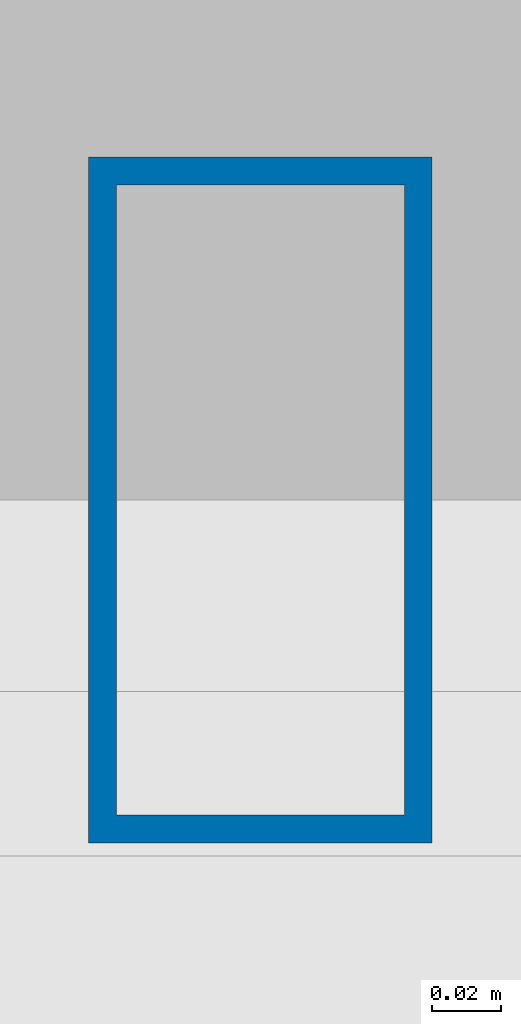
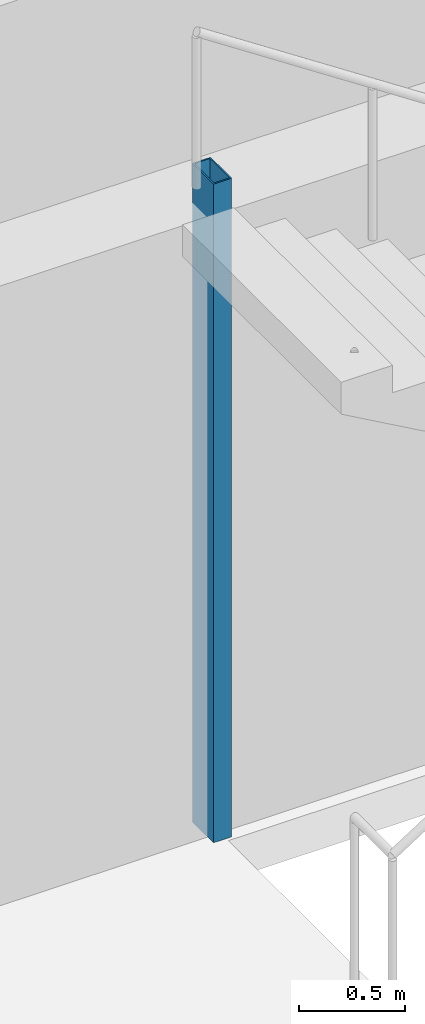
# One storey, part 2 of 17: 1 column.
"""IFC4 building model written with IfcOpenShell, lengths in metres."""

import ifcopenshell
import ifcopenshell.guid

model = None  # the IFC model being written
_history = None  # IfcOwnerHistory: only IFC2X3 demands one
_inside = {}  # id of a spatial element -> (the spatial element, [elements in it])
_under = {}  # id of a project, library or spatial element -> (it, [spatial elements below it])
_declared = {}  # id of a project -> (the project, [libraries it declares])
_typed = {}  # id of a type object -> (the type object, [elements of that type])
_made_of = {}  # id of a material, layer set ... -> (it, [elements and type objects made of it])


def new_model(schema):
    """Start an empty IFC model of exactly this schema.

    Asked for "IFC4X3", IfcOpenShell would pick the latest addendum, in which some entities
    have other attributes; the version numbers below select the first issue.
    IFC2X3 requires an IfcOwnerHistory on every rooted entity: one is made here for all.
    """
    global model, _history
    if schema == "IFC4X3":
        model = ifcopenshell.file(schema_version=(4, 3, 0, 0))
    else:
        model = ifcopenshell.file(schema=schema)
    _inside.clear()
    _under.clear()
    _declared.clear()
    _typed.clear()
    _made_of.clear()
    _history = None
    if model.schema == "IFC2X3":
        org = make("IfcOrganization", Name="unknown")
        user = make(
            "IfcPersonAndOrganization",
            ThePerson=make("IfcPerson", FamilyName="unknown"),
            TheOrganization=org,
        )
        app = make(
            "IfcApplication",
            ApplicationDeveloper=org,
            Version="unknown",
            ApplicationFullName="unknown",
            ApplicationIdentifier="unknown",
        )
        _history = make(
            "IfcOwnerHistory",
            OwningUser=user,
            OwningApplication=app,
            ChangeAction="ADDED",
            CreationDate=0,
        )
    return model


def make(cls, **values):
    """One entity of the class cls with the attributes given. An attribute that is None is left unset."""
    return model.create_entity(
        cls, **{name: value for name, value in values.items() if value is not None}
    )


def rooted(cls, **values):
    """An entity with a GlobalId (a new one), such as an element, a storey or a relation."""
    return make(cls, GlobalId=ifcopenshell.guid.new(), OwnerHistory=_history, **values)


def si_unit(unit_type, name, prefix=None):
    """IfcSIUnit, for example si_unit("LENGTHUNIT", "METRE", prefix="MILLI")."""
    return make("IfcSIUnit", UnitType=unit_type, Prefix=prefix, Name=name)


def assignment(units):
    """IfcUnitAssignment: the units of a project."""
    return None if units is None else make("IfcUnitAssignment", Units=units)


def point(xyz):
    """IfcCartesianPoint."""
    return None if xyz is None else make("IfcCartesianPoint", Coordinates=xyz)


def direction(xyz):
    """IfcDirection."""
    return None if xyz is None else make("IfcDirection", DirectionRatios=xyz)


def frame(location, z_axis=None, x_axis=None):
    """IfcAxis2Placement3D, a coordinate frame: its origin and axes. An axis left out is left unset."""
    return make(
        "IfcAxis2Placement3D",
        Location=point(location),
        Axis=direction(z_axis),
        RefDirection=direction(x_axis),
    )


def frame_2d(location, x_axis=None):
    """IfcAxis2Placement2D, a coordinate frame in the plane: its origin and x axis."""
    return make(
        "IfcAxis2Placement2D", Location=point(location), RefDirection=direction(x_axis)
    )


def origin():
    """The frame at (0, 0, 0) with its axes left unset."""
    return frame((0.0, 0.0, 0.0))


def origin_2d():
    """The frame at (0, 0) in the plane with its x axis left unset."""
    return frame_2d((0.0, 0.0))


def place(relative_to, where):
    """IfcLocalPlacement: puts the frame where relative to a parent placement (None: the world)."""
    return make(
        "IfcLocalPlacement", PlacementRelTo=relative_to, RelativePlacement=where
    )


def context(
    kind, dimensions, precision=None, world=None, true_north=None, identifier=None
):
    """IfcGeometricRepresentationContext, for example the 3D "Model" context."""
    return make(
        "IfcGeometricRepresentationContext",
        ContextIdentifier=identifier,
        ContextType=kind,
        CoordinateSpaceDimension=dimensions,
        Precision=precision,
        WorldCoordinateSystem=world,
        TrueNorth=true_north,
    )


def subcontext(parent, identifier, kind, view, scale=None):
    """IfcGeometricRepresentationSubContext, for example "Body" below "Model"."""
    return make(
        "IfcGeometricRepresentationSubContext",
        ContextIdentifier=identifier,
        ContextType=kind,
        ParentContext=parent,
        TargetScale=scale,
        TargetView=view,
    )


def project(units=None, contexts=None):
    """IfcProject with its units and contexts."""
    return rooted(
        "IfcProject",
        Name="project",
        RepresentationContexts=contexts,
        UnitsInContext=assignment(units),
    )


def spatial(cls, under=None, at=None, **own):
    """A site, building, storey or space (cls), placed at a placement, below another one or the project."""
    s = rooted(cls, ObjectPlacement=at, **own)
    if under is not None:
        _under.setdefault(under.id(), (under, []))[1].append(s)
    return s


def profile(cls, at=None, kind="AREA", **sizes):
    """A parametric profile (cls). Its sizes go by their IFC names, for example OverallWidth=200.0."""
    return make(cls, ProfileType=kind, Position=at, **sizes)


def hollow_rectangle(**sizes):
    """IfcRectangleHollowProfileDef."""
    return profile("IfcRectangleHollowProfileDef", **sizes)


def extrude(swept, where, along, depth):
    """IfcExtrudedAreaSolid: the profile swept, set in the frame where, extruded along a direction by depth."""
    return make(
        "IfcExtrudedAreaSolid",
        SweptArea=swept,
        Position=where,
        ExtrudedDirection=direction(along),
        Depth=depth,
    )


def shape(context_of_items, identifier, shape_type, items):
    """IfcShapeRepresentation: the items that make up one representation, for example the "Body"."""
    return make(
        "IfcShapeRepresentation",
        ContextOfItems=context_of_items,
        RepresentationIdentifier=identifier,
        RepresentationType=shape_type,
        Items=items,
    )


def material(Name=None, Category=None):
    """IfcMaterial."""
    return make("IfcMaterial", Name=Name, Category=Category)


def material_profile(
    of_material, cross_section, Name=None, Category=None, Priority=None
):
    """IfcMaterialProfile: a cross section and its material."""
    return make(
        "IfcMaterialProfile",
        Name=Name,
        Material=of_material,
        Profile=cross_section,
        Priority=Priority,
        Category=Category,
    )


def profile_set(profiles, Name=None, composite=None):
    """IfcMaterialProfileSet."""
    return make(
        "IfcMaterialProfileSet",
        Name=Name,
        MaterialProfiles=profiles,
        CompositeProfile=composite,
    )


def made_of(thing, what):
    """Note that an element or type object is made of a material, layer set ...; save() writes the relation."""
    if what is not None:
        _made_of.setdefault(what.id(), (what, []))[1].append(thing)
    return thing


def type_object(cls, material=None, **own):
    """A type object (cls), such as IfcWallType, which elements share."""
    return made_of(rooted(cls, **own), material)


def element(
    cls,
    number,
    at=None,
    inside=None,
    cuts=None,
    type_object=None,
    material=None,
    context=None,
    identifier="Body",
    shape_type=None,
    held_by="IfcProductDefinitionShape",
    body=None,
    shapes=None,
    **own,
):
    """One element of the class cls, such as IfcWall. Its Tag is "e" and its number.

    at: its placement. inside: the storey or other place that contains it. cuts: it is an
    opening in that element (IfcRelVoidsElement). A single representation is given by context,
    identifier, shape_type and body (its items); several are given by shapes. held_by: the class
    of the entity that holds the representations. save() writes the other relations.
    """
    e = rooted(cls, Tag="e%d" % number, ObjectPlacement=at, **own)
    if body is not None:
        shapes = [shape(context, identifier, shape_type, body)]
    if shapes is not None:
        e.Representation = make(held_by, Representations=shapes)
    if inside is not None:
        _inside.setdefault(inside.id(), (inside, []))[1].append(e)
    if cuts is not None:
        rooted(
            "IfcRelVoidsElement", RelatingBuildingElement=cuts, RelatedOpeningElement=e
        )
    if type_object is not None:
        _typed.setdefault(type_object.id(), (type_object, []))[1].append(e)
    return made_of(e, material)


def aggregate(whole, parts):
    """IfcRelAggregates: a whole, such as a stair, and the parts it consists of."""
    return rooted("IfcRelAggregates", RelatingObject=whole, RelatedObjects=parts)


def save(model, path):
    """Write the relations noted so far, then the file.

    IfcRelAggregates (storeys below a building ...), IfcRelContainedInSpatialStructure (elements
    in a storey), IfcRelDefinesByType, IfcRelAssociatesMaterial and IfcRelDeclares: one each for
    every whole, place, type object, material and project.
    """
    for whole, parts in _under.values():
        aggregate(whole, parts)
    for where, things in _inside.values():
        rooted(
            "IfcRelContainedInSpatialStructure",
            RelatedElements=things,
            RelatingStructure=where,
        )
    for kind, things in _typed.values():
        rooted("IfcRelDefinesByType", RelatedObjects=things, RelatingType=kind)
    for what, things in _made_of.values():
        rooted("IfcRelAssociatesMaterial", RelatedObjects=things, RelatingMaterial=what)
    for by, libraries in _declared.values():
        rooted("IfcRelDeclares", RelatingContext=by, RelatedDefinitions=libraries)
    model.write(path)


model = new_model("IFC4")

# Units and contexts
model_context = context("Model", 3, precision=1e-05, world=origin(), true_north=direction((0.0, 1.0)))
body_context = subcontext(model_context, "Body", "Model", "MODEL_VIEW")
ifc_project = project(units=[si_unit("LENGTHUNIT", "METRE"), si_unit("AREAUNIT", "SQUARE_METRE"), si_unit("VOLUMEUNIT", "CUBIC_METRE"), si_unit("PLANEANGLEUNIT", "RADIAN"), si_unit("MASSUNIT", "GRAM", prefix="KILO")], contexts=[model_context])

# Site, building, storey
site_placement = place(None, origin())
site = spatial("IfcSite", under=ifc_project, at=site_placement, CompositionType="ELEMENT")
building_placement = place(site_placement, origin())
building = spatial("IfcBuilding", under=site, at=building_placement, Name="Menara Jurai Vektor", CompositionType="ELEMENT")
storey_placement = place(building_placement, frame((0.0, 0.0, 63.60009765625)))
storey = spatial("IfcBuildingStorey", under=building, at=storey_placement, Name="L15", CompositionType="ELEMENT", Elevation=63.60009765625)

# Column
ifc_material = material(Name="Steel S355", Category="steel")
ifc_material_profile = material_profile(ifc_material, hollow_rectangle(XDim=0.10009765625, YDim=0.199951171875, WallThickness=0.008056640625, at=origin_2d()), Name="RHS 200x100x8")
ifc_profile_set = profile_set([ifc_material_profile], Name="Steel S355")
column_type = type_object("IfcColumnType", Name="STR-COL-STAIR", PredefinedType="COLUMN", material=ifc_profile_set)
column_placement = place(storey_placement, frame((-11.1201171875, 5.419921875, 0.0), z_axis=(0.0, 0.0, 1.0), x_axis=(1.0, 0.0, 0.0)))
element("IfcColumn", 1, at=column_placement, inside=storey, type_object=column_type, Name="Stair Well Header Column ST1-P2 L15", PredefinedType="COLUMN", context=body_context, shape_type="SweptSolid", body=[
    extrude(hollow_rectangle(XDim=0.10009765625, YDim=0.199951171875, WallThickness=0.008056640625, at=origin_2d()), origin(), (0.0, 0.0, 1.0), 3.7998046875),
])

save(model, "model.ifc")
